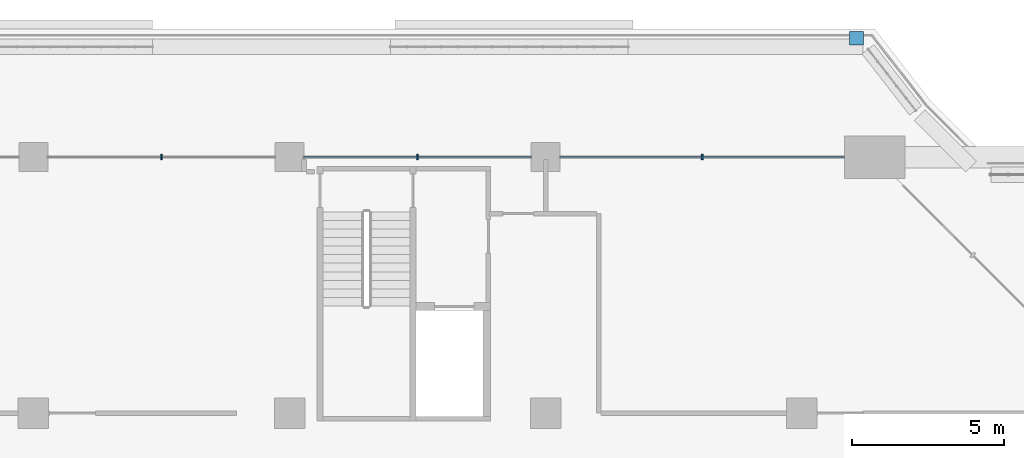
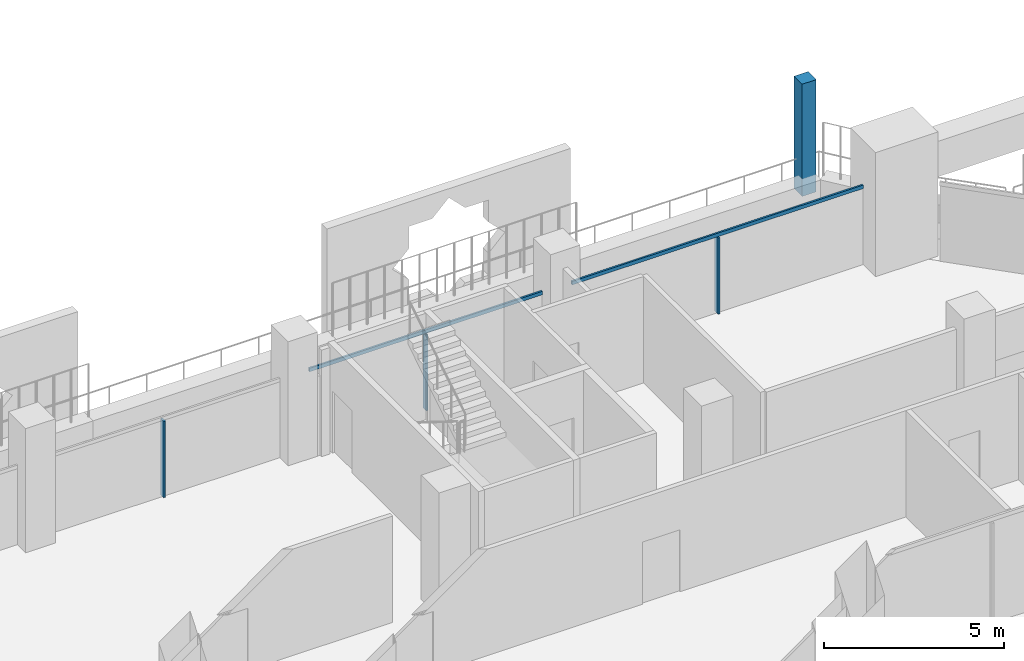
# One storey, part 7 of 23: 6 members, 2 elements without a shape of their own.
"""IFC4 building model written with IfcOpenShell, lengths in metres."""

from ifc_helpers import new_model, si_unit, direction, frame, origin, origin_2d, place, context, subcontext, project, spatial, rectangle, extrude, material, layer, layer_set, material_profile, profile_set, type_object, element, aggregate, save


model = new_model("IFC4")

# Units and contexts
model_context = context("Model", 3, precision=1e-05, world=origin(), true_north=direction((0.0, 1.0)))
body_context = subcontext(model_context, "Body", "Model", "MODEL_VIEW")
ifc_project = project(units=[si_unit("LENGTHUNIT", "METRE"), si_unit("AREAUNIT", "SQUARE_METRE"), si_unit("VOLUMEUNIT", "CUBIC_METRE"), si_unit("PLANEANGLEUNIT", "RADIAN"), si_unit("MASSUNIT", "GRAM", prefix="KILO")], contexts=[model_context])

# Site, building, storey
site_placement = place(None, origin())
site = spatial("IfcSite", under=ifc_project, at=site_placement, CompositionType="ELEMENT")
building_placement = place(site_placement, origin())
building = spatial("IfcBuilding", under=site, at=building_placement, Name="Kawkab Arch Medical Tower", CompositionType="ELEMENT")
storey_placement = place(building_placement, frame((0.0, 0.0, 158.39990234375)))
storey = spatial("IfcBuildingStorey", under=building, at=storey_placement, Name="L36", CompositionType="ELEMENT", Elevation=158.39990234375)

# Curtain wall, members
ifc_material_1 = material(Name="Bronze anodised aluminium curtain wall frame", Category="aluminium")
ifc_layer_1 = layer(ifc_material_1, 0.159912109375)
ifc_layer_set_1 = layer_set([ifc_layer_1], Name="Bronze anodised aluminium curtain wall frame")
curtain_wall_type_1 = type_object("IfcCurtainWallType", Name="CW1 ward curtain wall", PredefinedType="NOTDEFINED", material=ifc_layer_set_1)
placement = place(storey_placement, origin())
curtain_wall_1 = element("IfcCurtainWall", 1, at=placement, inside=storey, type_object=curtain_wall_type_1, Name="CW1 Ward curtain wall R09", PredefinedType="NOTDEFINED")
ifc_material_2 = material(Name="Bronze anodised aluminium curtain wall frame", Category="aluminium")
ifc_material_profile_1 = material_profile(ifc_material_2, rectangle(XDim=0.179931640625, YDim=0.06005859375, at=origin_2d()), Name="AL 60x180")
ifc_profile_set_1 = profile_set([ifc_material_profile_1], Name="Bronze anodised aluminium curtain wall frame")
member_type_1 = type_object("IfcMemberType", Name="CW1 mullion 60 x 180", PredefinedType="MULLION", material=ifc_profile_set_1)
member_1_placement = place(storey_placement, frame((55.53759765625, 0.0, 0.0), z_axis=(0.0, 0.0, 1.0), x_axis=(0.0, -1.0, 0.0)))
member_1 = element("IfcMember", 2, at=member_1_placement, type_object=member_type_1, Name="CW1 mullion 1.1", PredefinedType="MULLION", context=body_context, shape_type="SweptSolid", body=[
    extrude(rectangle(XDim=0.179931640625, YDim=0.06005859375, at=origin_2d()), origin(), (0.0, 0.0, 1.0), 2.580078125),
])
member_2_placement = place(storey_placement, frame((46.199951171875, 0.0, 0.0), z_axis=(0.0, 0.0, 1.0), x_axis=(0.0, -1.0, 0.0)))
member_2 = element("IfcMember", 3, at=member_2_placement, type_object=member_type_1, Name="CW1 mullion 2.1", PredefinedType="MULLION", context=body_context, shape_type="SweptSolid", body=[
    extrude(rectangle(XDim=0.179931640625, YDim=0.06005859375, at=origin_2d()), origin(), (0.0, 0.0, 1.0), 2.580078125),
])
member_3_placement = place(storey_placement, frame((37.800048828125, 0.0, 0.0), z_axis=(0.0, 0.0, 1.0), x_axis=(0.0, -1.0, 0.0)))
member_3 = element("IfcMember", 4, at=member_3_placement, type_object=member_type_1, Name="CW1 mullion 3.1", PredefinedType="MULLION", context=body_context, shape_type="SweptSolid", body=[
    extrude(rectangle(XDim=0.179931640625, YDim=0.06005859375, at=origin_2d()), origin(), (0.0, 0.0, 1.0), 2.580078125),
])
ifc_material_3 = material(Name="Bronze anodised aluminium curtain wall frame", Category="aluminium")
ifc_material_profile_2 = material_profile(ifc_material_3, rectangle(XDim=0.06005859375, YDim=0.1201171875, at=origin_2d()), Name="AL 60x120")
ifc_profile_set_2 = profile_set([ifc_material_profile_2], Name="Bronze anodised aluminium curtain wall frame")
member_type_2 = type_object("IfcMemberType", Name="CW1 transom 120 x 60", PredefinedType="USERDEFINED", material=ifc_profile_set_2)
member_4_placement = place(storey_placement, frame((60.199951171875, 0.0, 2.64013671875), z_axis=(-1.0, 0.0, 0.0), x_axis=(0.0, -1.0, 0.0)))
member_4 = element("IfcMember", 5, at=member_4_placement, type_object=member_type_2, Name="CW1 transom 1", ObjectType="TRANSOM", PredefinedType="USERDEFINED", context=body_context, shape_type="SweptSolid", body=[
    extrude(rectangle(XDim=0.06005859375, YDim=0.1201171875, at=origin_2d()), origin(), (0.0, 0.0, 1.0), 9.324951171875),
])
member_5_placement = place(storey_placement, frame((49.925048828125, 0.0, 2.64013671875), z_axis=(-1.0, 0.0, 0.0), x_axis=(0.0, -1.0, 0.0)))
member_5 = element("IfcMember", 6, at=member_5_placement, type_object=member_type_2, Name="CW1 transom 2", ObjectType="TRANSOM", PredefinedType="USERDEFINED", context=body_context, shape_type="SweptSolid", body=[
    extrude(rectangle(XDim=0.06005859375, YDim=0.1201171875, at=origin_2d()), origin(), (0.0, 0.0, 1.0), 7.449951171875),
])
aggregate(curtain_wall_1, [member_4, member_1, member_5, member_2, member_3])

# Curtain wall, member
ifc_material_4 = material(Name="Bronze anodised aluminium climber frame, planted", Category="aluminium")
ifc_layer_2 = layer(ifc_material_4, 0.449951171875)
ifc_layer_set_2 = layer_set([ifc_layer_2], Name="Bronze anodised aluminium climber frame, planted")
curtain_wall_type_2 = type_object("IfcCurtainWallType", Name="Planted climber frame", PredefinedType="NOTDEFINED", material=ifc_layer_set_2)
curtain_wall_2 = element("IfcCurtainWall", 7, at=placement, inside=storey, type_object=curtain_wall_type_2, Name="Planted climber frame L36", PredefinedType="NOTDEFINED")
ifc_material_5 = material(Name="Bronze anodised aluminium climber frame, planted", Category="aluminium")
ifc_material_profile_3 = material_profile(ifc_material_5, rectangle(XDim=0.449951171875, YDim=0.449951171875, at=origin_2d()), Name="Post 450x450")
ifc_profile_set_3 = profile_set([ifc_material_profile_3], Name="Bronze anodised aluminium climber frame, planted")
member_type_3 = type_object("IfcMemberType", Name="Planted climber post 450 x 450", PredefinedType="MULLION", material=ifc_profile_set_3)
member_6_placement = place(storey_placement, frame((60.60302734375, 3.89990234375, 0.0), z_axis=(0.0, 0.0, 1.0), x_axis=(1.0, 0.0, 0.0)))
member_6 = element("IfcMember", 8, at=member_6_placement, type_object=member_type_3, Name="Planted climber post L36.LOG-01-02.2", PredefinedType="MULLION", context=body_context, shape_type="SweptSolid", body=[
    extrude(rectangle(XDim=0.449951171875, YDim=0.449951171875, at=origin_2d()), origin(), (0.0, 0.0, 1.0), 3.800048828125),
])
aggregate(curtain_wall_2, [member_6])

save(model, "model.ifc")
